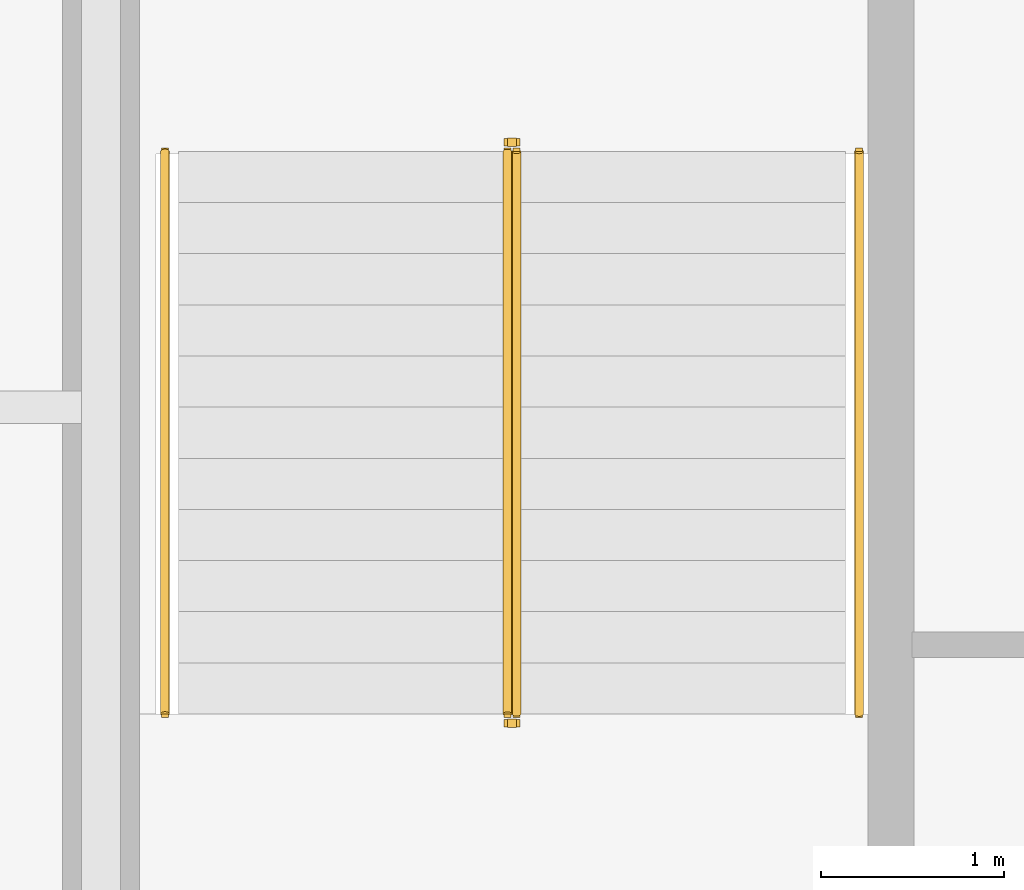
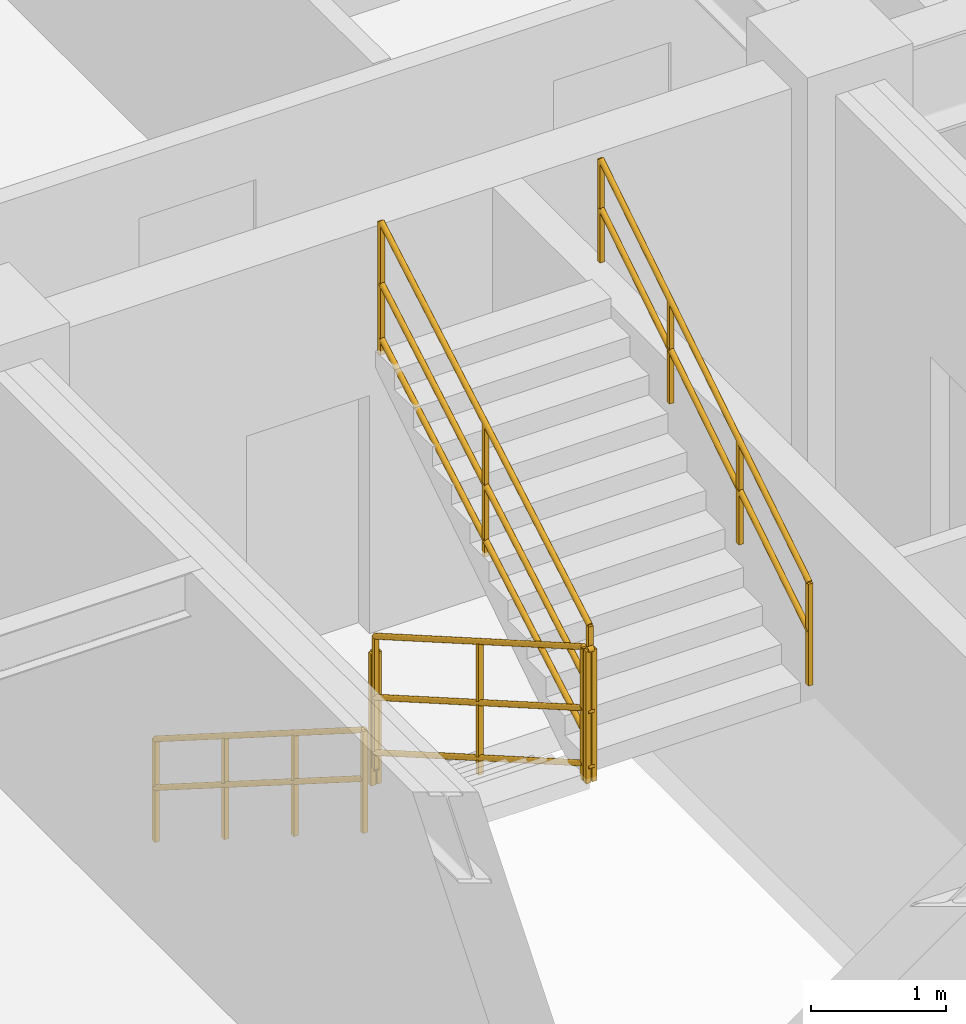
# One storey, part 10 of 10: 6 railings.
"""IFC4 building model written with IfcOpenShell, lengths in metres."""

from ifc_helpers import new_model, entity, si_unit, converted_unit, direction, frame, origin_with_axes, origin_2d_with_axis, place, context, subcontext, project, spatial, rectangle, circle, extrude, material, type_object, element, save


model = new_model("IFC4")

# Units and contexts
model_context = context("Model", 3, precision=1e-05, world=origin_with_axes(), true_north=direction((0.0, 1.0)))
body_context = subcontext(model_context, "Body", "Model", "MODEL_VIEW")
ifc_project = project(units=[si_unit("LENGTHUNIT", "METRE"), si_unit("AREAUNIT", "SQUARE_METRE"), si_unit("VOLUMEUNIT", "CUBIC_METRE"), converted_unit("PLANEANGLEUNIT", "DEGREE", entity("IfcPlaneAngleMeasure", 0.017453292519943295), si_unit("PLANEANGLEUNIT", "RADIAN"), dimensions=[0, 0, 0, 0, 0, 0, 0]), si_unit("MASSUNIT", "GRAM", prefix="KILO"), si_unit("THERMODYNAMICTEMPERATUREUNIT", "KELVIN")], contexts=[model_context])

# Site, building, storey
site_placement = place(None, origin_with_axes())
site = spatial("IfcSite", under=ifc_project, at=site_placement, CompositionType="ELEMENT")
building_placement = place(site_placement, origin_with_axes())
building = spatial("IfcBuilding", under=site, at=building_placement, Name="Varnlund Millrace Tower", CompositionType="ELEMENT")
storey_placement = place(building_placement, frame((0.0, 0.0, 236.4), z_axis=(0.0, 0.0, 1.0), x_axis=(1.0, 0.0, 0.0)))
storey = spatial("IfcBuildingStorey", under=building, at=storey_placement, Name="L58", CompositionType="ELEMENT", Elevation=236.4)

# Railings
ifc_material_1 = material(Name="Painted steel stair well balustrade guard", Category="steel")
railing_type_1 = type_object("IfcRailingType", Name="Type-StairGuard-1150", PredefinedType="GUARDRAIL", material=ifc_material_1)
railing_1_placement = place(storey_placement, frame((0.0, 0.0, -236.4), z_axis=(0.0, 0.0, 1.0), x_axis=(1.0, 0.0, 0.0)))
element("IfcRailing", 1, at=railing_1_placement, inside=storey, type_object=railing_type_1, Name="Type-StairGuard-1150", PredefinedType="GUARDRAIL", context=body_context, shape_type="SweptSolid", body=[
    extrude(circle(Radius=0.024, at=origin_2d_with_axis()), frame((13.625, 35.9, 237.727273), z_axis=(0.0, -0.866696, 0.498836), x_axis=(1.0, 0.0, 0.0)), (0.0, 0.0, 1.0), 3.553725),
    extrude(circle(Radius=0.024, at=origin_2d_with_axis()), frame((13.625, 35.9, 236.677273), z_axis=(0.0, -0.866696, 0.498836), x_axis=(1.0, 0.0, 0.0)), (0.0, 0.0, 1.0), 3.553725),
    extrude(circle(Radius=0.024, at=origin_2d_with_axis()), frame((13.625, 35.9, 237.175273), z_axis=(0.0, -0.866696, 0.498836), x_axis=(1.0, 0.0, 0.0)), (0.0, 0.0, 1.0), 3.553725),
    extrude(rectangle(XDim=0.04, YDim=0.04, at=origin_2d_with_axis()), frame((13.625, 35.9, 236.537273), z_axis=(0.0, 0.0, 1.0), x_axis=(1.0, 0.0, 0.0)), (0.0, 0.0, 1.0), 1.19),
    extrude(rectangle(XDim=0.04, YDim=0.04, at=origin_2d_with_axis()), frame((13.625, 34.36, 237.423637), z_axis=(0.0, 0.0, 1.0), x_axis=(1.0, 0.0, 0.0)), (0.0, 0.0, 1.0), 1.19),
    extrude(rectangle(XDim=0.04, YDim=0.04, at=origin_2d_with_axis()), frame((13.625, 32.82, 238.31), z_axis=(0.0, 0.0, 1.0), x_axis=(1.0, 0.0, 0.0)), (0.0, 0.0, 1.0), 1.19),
])
railing_2_placement = place(storey_placement, frame((0.0, 0.0, -236.4), z_axis=(0.0, 0.0, 1.0), x_axis=(1.0, 0.0, 0.0)))
element("IfcRailing", 2, at=railing_2_placement, inside=storey, type_object=railing_type_1, Name="Type-StairGuard-1150", PredefinedType="GUARDRAIL", context=body_context, shape_type="SweptSolid", body=[
    extrude(circle(Radius=0.024, at=origin_2d_with_axis()), frame((13.675, 32.77, 239.5), z_axis=(-1.0, 0.0, 0.0), x_axis=(0.0, -1.0, 0.0)), (0.0, 0.0, 1.0), 0.05),
    extrude(circle(Radius=0.024, at=origin_2d_with_axis()), frame((13.675, 32.77, 238.45), z_axis=(-1.0, 0.0, 0.0), x_axis=(0.0, -1.0, 0.0)), (0.0, 0.0, 1.0), 0.05),
    extrude(circle(Radius=0.024, at=origin_2d_with_axis()), frame((13.675, 32.77, 238.948), z_axis=(-1.0, 0.0, 0.0), x_axis=(0.0, -1.0, 0.0)), (0.0, 0.0, 1.0), 0.05),
    extrude(rectangle(XDim=0.04, YDim=0.04, at=origin_2d_with_axis()), frame((13.675, 32.77, 238.31), z_axis=(0.0, 0.0, 1.0), x_axis=(1.0, 0.0, 0.0)), (0.0, 0.0, 1.0), 1.19),
    extrude(rectangle(XDim=0.04, YDim=0.04, at=origin_2d_with_axis()), frame((13.625, 32.77, 238.31), z_axis=(0.0, 0.0, 1.0), x_axis=(1.0, 0.0, 0.0)), (0.0, 0.0, 1.0), 1.19),
])
railing_3_placement = place(storey_placement, frame((0.0, 0.0, -236.4), z_axis=(0.0, 0.0, 1.0), x_axis=(1.0, 0.0, 0.0)))
element("IfcRailing", 3, at=railing_3_placement, inside=storey, type_object=railing_type_1, Name="Type-StairGuard-1150", PredefinedType="GUARDRAIL", context=body_context, shape_type="SweptSolid", body=[
    extrude(circle(Radius=0.024, at=origin_2d_with_axis()), frame((13.675, 32.82, 239.677273), z_axis=(0.0, 0.866696, 0.498836), x_axis=(-1.0, 0.0, 0.0)), (0.0, 0.0, 1.0), 3.553725),
    extrude(circle(Radius=0.024, at=origin_2d_with_axis()), frame((13.675, 32.82, 238.627273), z_axis=(0.0, 0.866696, 0.498836), x_axis=(-1.0, 0.0, 0.0)), (0.0, 0.0, 1.0), 3.553725),
    extrude(circle(Radius=0.024, at=origin_2d_with_axis()), frame((13.675, 32.82, 239.125273), z_axis=(0.0, 0.866696, 0.498836), x_axis=(-1.0, 0.0, 0.0)), (0.0, 0.0, 1.0), 3.553725),
    extrude(rectangle(XDim=0.04, YDim=0.04, at=origin_2d_with_axis()), frame((13.675, 32.82, 238.487273), z_axis=(0.0, 0.0, 1.0), x_axis=(1.0, 0.0, 0.0)), (0.0, 0.0, 1.0), 1.19),
    extrude(rectangle(XDim=0.04, YDim=0.04, at=origin_2d_with_axis()), frame((13.675, 34.36, 239.373636), z_axis=(0.0, 0.0, 1.0), x_axis=(1.0, 0.0, 0.0)), (0.0, 0.0, 1.0), 1.19),
    extrude(rectangle(XDim=0.04, YDim=0.04, at=origin_2d_with_axis()), frame((13.675, 35.9, 240.26), z_axis=(0.0, 0.0, 1.0), x_axis=(1.0, 0.0, 0.0)), (0.0, 0.0, 1.0), 1.19),
])
railing_4_placement = place(storey_placement, frame((0.0, 0.0, -236.4), z_axis=(0.0, 0.0, 1.0), x_axis=(1.0, 0.0, 0.0)))
element("IfcRailing", 4, at=railing_4_placement, inside=storey, type_object=railing_type_1, Name="Type-StairGuard-1150", PredefinedType="GUARDRAIL", context=body_context, shape_type="SweptSolid", body=[
    extrude(circle(Radius=0.024, at=origin_2d_with_axis()), frame((13.675, 35.95, 237.55), z_axis=(-1.0, 0.0, 0.0), x_axis=(0.0, -1.0, 0.0)), (0.0, 0.0, 1.0), 0.05),
    extrude(circle(Radius=0.024, at=origin_2d_with_axis()), frame((13.675, 35.95, 236.5), z_axis=(-1.0, 0.0, 0.0), x_axis=(0.0, -1.0, 0.0)), (0.0, 0.0, 1.0), 0.05),
    extrude(circle(Radius=0.024, at=origin_2d_with_axis()), frame((13.675, 35.95, 236.998), z_axis=(-1.0, 0.0, 0.0), x_axis=(0.0, -1.0, 0.0)), (0.0, 0.0, 1.0), 0.05),
    extrude(rectangle(XDim=0.04, YDim=0.04, at=origin_2d_with_axis()), frame((13.675, 35.95, 236.36), z_axis=(0.0, 0.0, 1.0), x_axis=(1.0, 0.0, 0.0)), (0.0, 0.0, 1.0), 1.19),
    extrude(rectangle(XDim=0.04, YDim=0.04, at=origin_2d_with_axis()), frame((13.625, 35.95, 236.36), z_axis=(0.0, 0.0, 1.0), x_axis=(1.0, 0.0, 0.0)), (0.0, 0.0, 1.0), 1.19),
])
ifc_material_2 = material(Name="Brushed architectural bronze stair handrail", Category="aluminium")
railing_type_2 = type_object("IfcRailingType", Name="Type-StairHandrail-900", PredefinedType="HANDRAIL", material=ifc_material_2)
railing_5_placement = place(storey_placement, frame((0.0, 0.0, -236.4), z_axis=(0.0, 0.0, 1.0), x_axis=(1.0, 0.0, 0.0)))
element("IfcRailing", 5, at=railing_5_placement, inside=storey, type_object=railing_type_2, Name="Type-StairHandrail-900", PredefinedType="HANDRAIL", context=body_context, shape_type="SweptSolid", body=[
    extrude(circle(Radius=0.024, at=origin_2d_with_axis()), frame((11.75, 35.9, 237.456995), z_axis=(0.0, -0.844902, 0.534922), x_axis=(1.0, 0.0, 0.0)), (0.0, 0.0, 1.0), 3.645394),
    extrude(circle(Radius=0.024, at=origin_2d_with_axis()), frame((11.75, 35.9, 237.017134), z_axis=(0.0, -0.844902, 0.534922), x_axis=(1.0, 0.0, 0.0)), (0.0, 0.0, 1.0), 3.645394),
    extrude(rectangle(XDim=0.04, YDim=0.04, at=origin_2d_with_axis()), frame((11.75, 35.9, 236.537273), z_axis=(0.0, 0.0, 1.0), x_axis=(1.0, 0.0, 0.0)), (0.0, 0.0, 1.0), 0.919722),
    extrude(rectangle(XDim=0.04, YDim=0.04, at=origin_2d_with_axis()), frame((11.75, 34.873333, 237.187273), z_axis=(0.0, 0.0, 1.0), x_axis=(1.0, 0.0, 0.0)), (0.0, 0.0, 1.0), 0.919722),
    extrude(rectangle(XDim=0.04, YDim=0.04, at=origin_2d_with_axis()), frame((11.75, 33.846667, 237.837273), z_axis=(0.0, 0.0, 1.0), x_axis=(1.0, 0.0, 0.0)), (0.0, 0.0, 1.0), 0.919722),
    extrude(rectangle(XDim=0.04, YDim=0.04, at=origin_2d_with_axis()), frame((11.75, 32.82, 238.487273), z_axis=(0.0, 0.0, 1.0), x_axis=(1.0, 0.0, 0.0)), (0.0, 0.0, 1.0), 0.919722),
])
railing_6_placement = place(storey_placement, frame((0.0, 0.0, -236.4), z_axis=(0.0, 0.0, 1.0), x_axis=(1.0, 0.0, 0.0)))
element("IfcRailing", 6, at=railing_6_placement, inside=storey, type_object=railing_type_2, Name="Type-StairHandrail-900", PredefinedType="HANDRAIL", context=body_context, shape_type="SweptSolid", body=[
    extrude(circle(Radius=0.024, at=origin_2d_with_axis()), frame((15.55, 32.82, 239.406995), z_axis=(0.0, 0.844902, 0.534922), x_axis=(-1.0, 0.0, 0.0)), (0.0, 0.0, 1.0), 3.645394),
    extrude(circle(Radius=0.024, at=origin_2d_with_axis()), frame((15.55, 32.82, 238.967134), z_axis=(0.0, 0.844902, 0.534922), x_axis=(-1.0, 0.0, 0.0)), (0.0, 0.0, 1.0), 3.645394),
    extrude(rectangle(XDim=0.04, YDim=0.04, at=origin_2d_with_axis()), frame((15.55, 32.82, 238.487273), z_axis=(0.0, 0.0, 1.0), x_axis=(1.0, 0.0, 0.0)), (0.0, 0.0, 1.0), 0.919722),
    extrude(rectangle(XDim=0.04, YDim=0.04, at=origin_2d_with_axis()), frame((15.55, 33.846667, 239.137273), z_axis=(0.0, 0.0, 1.0), x_axis=(1.0, 0.0, 0.0)), (0.0, 0.0, 1.0), 0.919722),
    extrude(rectangle(XDim=0.04, YDim=0.04, at=origin_2d_with_axis()), frame((15.55, 34.873333, 239.787273), z_axis=(0.0, 0.0, 1.0), x_axis=(1.0, 0.0, 0.0)), (0.0, 0.0, 1.0), 0.919722),
    extrude(rectangle(XDim=0.04, YDim=0.04, at=origin_2d_with_axis()), frame((15.55, 35.9, 240.437273), z_axis=(0.0, 0.0, 1.0), x_axis=(1.0, 0.0, 0.0)), (0.0, 0.0, 1.0), 0.919722),
])

save(model, "model.ifc")
